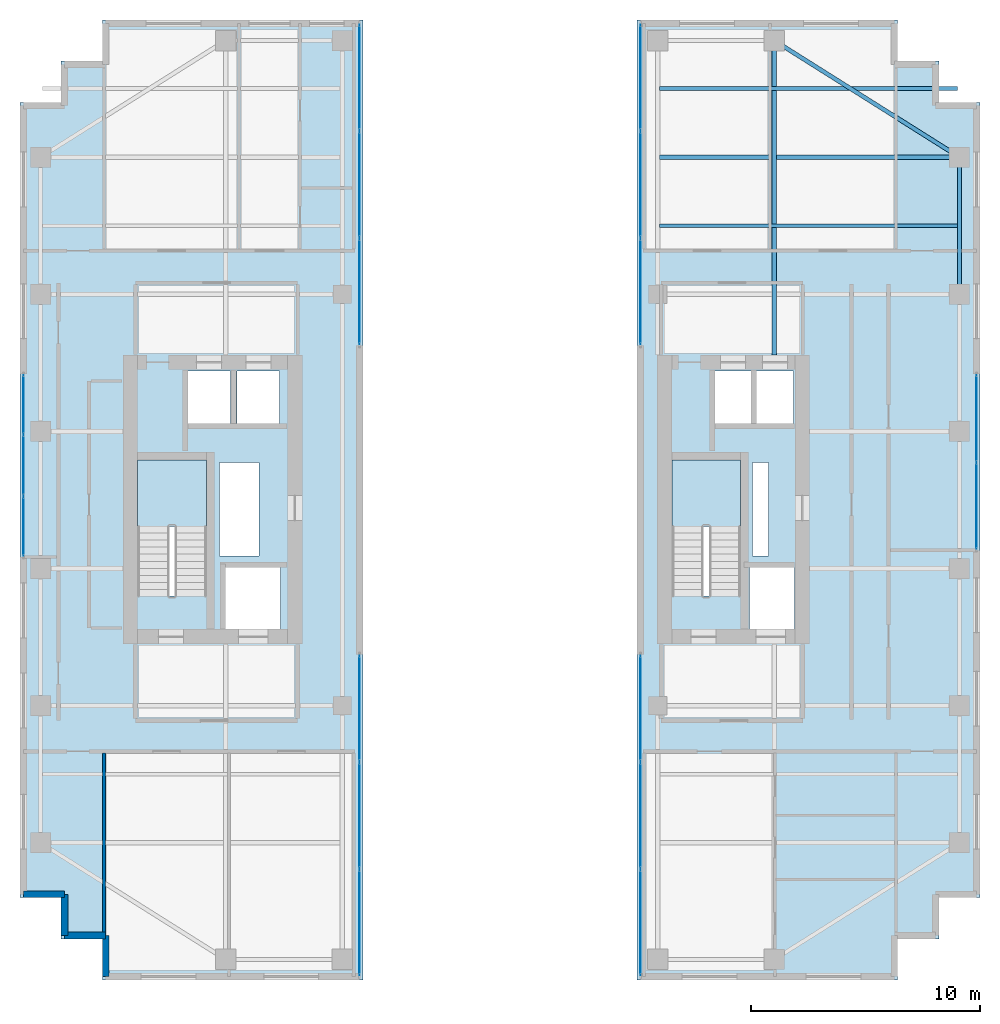
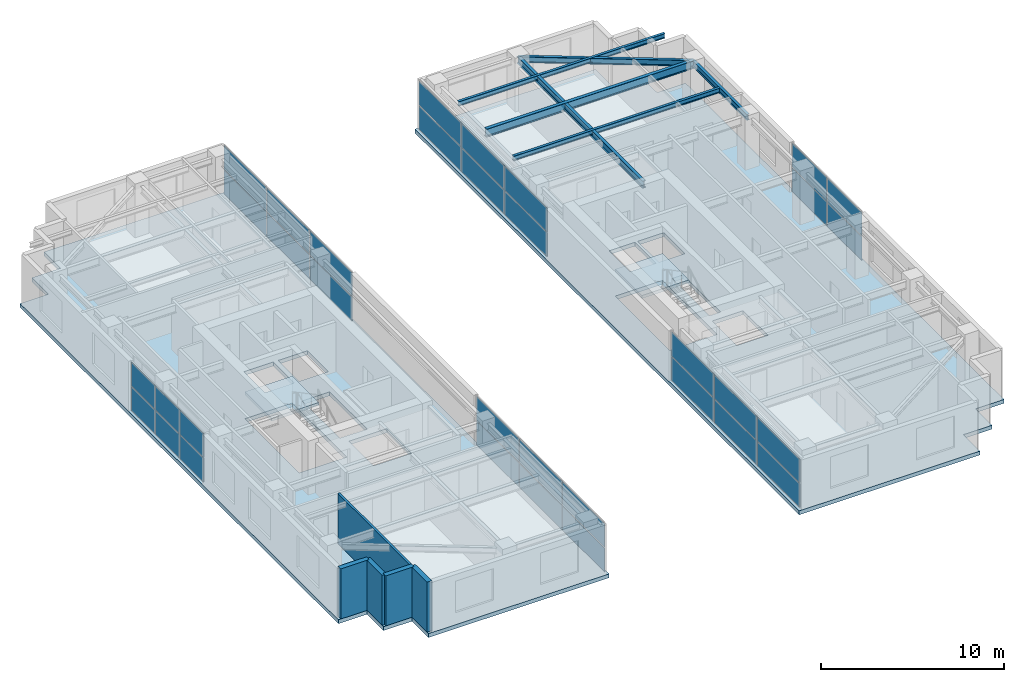
# One storey, part 16 of 22: 34 plates, 6 beams, 5 walls, 4 slabs, 8 elements without a shape of their own.
"""IFC4 building model written with IfcOpenShell, lengths in metres."""

from ifc_helpers import new_model, si_unit, direction, frame, frame_2d, origin, origin_2d, place, context, subcontext, project, spatial, polyline, rectangle, i_section, outline, extrude, source, transform, mapped, material, layer, layer_set, material_profile, profile_set, type_object, element, aggregate, save


model = new_model("IFC4")

# Units and contexts
model_context = context("Model", 3, precision=1e-05, world=origin(), true_north=direction((0.0, 1.0)))
body_context = subcontext(model_context, "Body", "Model", "MODEL_VIEW")
ifc_project = project(units=[si_unit("LENGTHUNIT", "METRE"), si_unit("AREAUNIT", "SQUARE_METRE"), si_unit("VOLUMEUNIT", "CUBIC_METRE"), si_unit("PLANEANGLEUNIT", "RADIAN"), si_unit("MASSUNIT", "GRAM", prefix="KILO")], contexts=[model_context])

# Site, building, storey
site_placement = place(None, origin())
site = spatial("IfcSite", under=ifc_project, at=site_placement, CompositionType="ELEMENT")
building_placement = place(site_placement, origin())
building = spatial("IfcBuilding", under=site, at=building_placement, Name="Khoralis Quay Care Tower", CompositionType="ELEMENT")
storey_placement = place(building_placement, frame((0.0, 0.0, 184.5)))
storey = spatial("IfcBuildingStorey", under=building, at=storey_placement, Name="L48", CompositionType="ELEMENT", Elevation=184.5)

# Beams
ifc_material_1 = material(Name="Steel S355", Category="steel")
ifc_material_profile_1 = material_profile(ifc_material_1, i_section(OverallWidth=0.179931640625, OverallDepth=0.39990234375, WebThickness=0.008544921875, FlangeThickness=0.013427734375, FilletRadius=0.02099609375, at=origin_2d()), Name="Steel S355")
ifc_profile_set_1 = profile_set([ifc_material_profile_1], Name="Steel S355")
beam_type_1 = type_object("IfcBeamType", Name="BM-IPE400", PredefinedType="SPANDREL", material=ifc_profile_set_1)
shared_shape_1 = source(origin(), body_context, "Body", "SweptSolid", [
    extrude(i_section(OverallWidth=0.179931640625, OverallDepth=0.39990234375, WebThickness=0.008544921875, FlangeThickness=0.013427734375, FilletRadius=0.02099609375, at=origin_2d()), origin(), (0.0, 0.0, 1.0), 6.0),
])
beam_1_placement = place(storey_placement, frame((44.10009765625, 30.0, 3.139892578125), z_axis=(0.0, 1.0, 0.0), x_axis=(-1.0, 0.0, 0.0)))
element("IfcBeam", 1, at=beam_1_placement, inside=storey, type_object=beam_type_1, Name="BM-TSP-L48-14", PredefinedType="SPANDREL", context=body_context, shape_type="MappedRepresentation", body=[
    mapped(shared_shape_1, transform((0.0, 0.0, 0.0), scale=1.0)),
])
shared_shape_2 = source(origin(), body_context, "Body", "SweptSolid", [
    extrude(i_section(OverallWidth=0.179931640625, OverallDepth=0.39990234375, WebThickness=0.008544921875, FlangeThickness=0.013427734375, FilletRadius=0.02099609375, at=origin_2d()), origin(), (0.0, 0.0, 1.0), 9.572021484375),
])
beam_2_placement = place(storey_placement, frame((36.0, 41.10009765625, 3.139892578125), z_axis=(0.846231136359, -0.532815975602, 0.0), x_axis=(0.532815975602, 0.846231136359, 0.0)))
element("IfcBeam", 2, at=beam_2_placement, inside=storey, type_object=beam_type_1, Name="BM-TCR-L48-18", PredefinedType="SPANDREL", context=body_context, shape_type="MappedRepresentation", body=[
    mapped(shared_shape_2, transform((0.0, 0.0, 0.0), scale=1.0)),
])
ifc_material_profile_2 = material_profile(ifc_material_1, i_section(OverallWidth=0.208984375, OverallDepth=0.532958984375, WebThickness=0.01025390625, FlangeThickness=0.015625, FilletRadius=0.01611328125, at=origin_2d()), Name="Steel S355")
ifc_profile_set_2 = profile_set([ifc_material_profile_2], Name="Steel S355")
beam_type_2 = type_object("IfcBeamType", Name="BM-W530X92", PredefinedType="BEAM", material=ifc_profile_set_2)
shared_shape_3 = source(origin(), body_context, "Body", "SweptSolid", [
    extrude(i_section(OverallWidth=0.208984375, OverallDepth=0.532958984375, WebThickness=0.01025390625, FlangeThickness=0.015625, FilletRadius=0.01611328125, at=origin_2d()), origin(), (0.0, 0.0, 1.0), 13.1162109375),
])
beam_3_placement = place(storey_placement, frame((30.98388671875, 36.0, 3.073486328125), z_axis=(1.0, 0.0, 0.0), x_axis=(0.0, 1.0, 0.0)))
element("IfcBeam", 3, at=beam_3_placement, inside=storey, type_object=beam_type_2, Name="BM-TGXE-L48-360", PredefinedType="BEAM", context=body_context, shape_type="MappedRepresentation", body=[
    mapped(shared_shape_3, transform((0.0, 0.0, 0.0), scale=1.0)),
])
ifc_material_profile_3 = material_profile(ifc_material_1, i_section(OverallWidth=0.19189453125, OverallDepth=0.462890625, WebThickness=0.010498046875, FlangeThickness=0.017578125, FilletRadius=0.014892578125, at=origin_2d()), Name="Steel S355")
ifc_profile_set_3 = profile_set([ifc_material_profile_3], Name="Steel S355")
beam_type_3 = type_object("IfcBeamType", Name="BM-W460X89", PredefinedType="BEAM", material=ifc_profile_set_3)
shared_shape_4 = source(origin(), body_context, "Body", "SweptSolid", [
    extrude(i_section(OverallWidth=0.19189453125, OverallDepth=0.462890625, WebThickness=0.010498046875, FlangeThickness=0.017578125, FilletRadius=0.014892578125, at=origin_2d()), origin(), (0.0, 0.0, 1.0), 13.752197265625),
])
beam_4_placement = place(storey_placement, frame((36.0, 27.347900390625, 3.1083984375), z_axis=(0.0, 1.0, 0.0), x_axis=(-1.0, 0.0, 0.0)))
element("IfcBeam", 4, at=beam_4_placement, inside=storey, type_object=beam_type_3, Name="BM-TGYN-L48-360", PredefinedType="BEAM", context=body_context, shape_type="MappedRepresentation", body=[
    mapped(shared_shape_4, transform((0.0, 0.0, 0.0), scale=1.0)),
])
ifc_material_profile_4 = material_profile(ifc_material_1, i_section(OverallWidth=0.1650390625, OverallDepth=0.31005859375, WebThickness=0.005859375, FlangeThickness=0.009765625, FilletRadius=0.011962890625, at=origin_2d()), Name="Steel S355")
ifc_profile_set_4 = profile_set([ifc_material_profile_4], Name="Steel S355")
beam_type_4 = type_object("IfcBeamType", Name="BM-W310X39", PredefinedType="JOIST", material=ifc_profile_set_4)
shared_shape_5 = source(origin(), body_context, "Body", "SweptSolid", [
    extrude(i_section(OverallWidth=0.1650390625, OverallDepth=0.31005859375, WebThickness=0.005859375, FlangeThickness=0.009765625, FilletRadius=0.011962890625, at=origin_2d()), origin(), (0.0, 0.0, 1.0), 13.0400390625),
])
for number, where, z_axis, x_axis, name in (
    (5, (30.98388671875, 33.0, 3.18505859375), (1.0, 0.0, 0.0), (0.0, 1.0, 0.0), "BM-TJS-L48-22"),
    (6, (30.98388671875, 39.0, 3.18505859375), (1.0, 0.0, 0.0), (0.0, 1.0, 0.0), "BM-TJS-L48-24"),
):
    element("IfcBeam", number, at=place(storey_placement, frame(where, z_axis=z_axis, x_axis=x_axis)), inside=storey, type_object=beam_type_4, Name=name, PredefinedType="JOIST", context=body_context, shape_type="MappedRepresentation", body=[
        mapped(shared_shape_5, transform((0.0, 0.0, 0.0), scale=1.0)),
    ])

# Stair, slab
ifc_material_2 = material(Name="Precast concrete C45/55", Category="concrete")
stair_type = type_object("IfcStairType", Name="ST-TWR-DOGLEG-1400", PredefinedType="HALF_TURN_STAIR", material=ifc_material_2)
stair_1_placement = place(storey_placement, origin())
stair_1 = element("IfcStair", 7, at=stair_1_placement, inside=storey, type_object=stair_type, Name="L48 West Core Exit Stair ST-T1", PredefinedType="HALF_TURN_STAIR")
ifc_layer_1 = layer(ifc_material_2, 0.199951171875)
ifc_layer_set_1 = layer_set([ifc_layer_1], Name="Precast concrete C45/55")
slab_type_1 = type_object("IfcSlabType", Name="SLB-LANDING-200", PredefinedType="LANDING", material=ifc_layer_set_1)
slab_1_placement = place(storey_placement, frame((0.0, 0.0, 1.60009765625)))
slab_1 = element("IfcSlab", 8, at=slab_1_placement, type_object=slab_type_1, Name="ST-T1 landing 1", PredefinedType="LANDING", context=body_context, shape_type="SweptSolid", body=[
    extrude(outline(polyline([(11.14990234375, 19.840087890625), (11.14990234375, 22.75), (8.14990234375, 22.75), (8.14990234375, 19.840087890625), (11.14990234375, 19.840087890625)])), origin(), (0.0, 0.0, 1.0), 0.199951171875),
])
aggregate(stair_1, [slab_1])

stair_2_placement = place(storey_placement, origin())
stair_2 = element("IfcStair", 9, at=stair_2_placement, inside=storey, type_object=stair_type, Name="L48 East Core Exit Stair ST-T2", PredefinedType="HALF_TURN_STAIR")
slab_2_placement = place(storey_placement, frame((0.0, 0.0, 1.60009765625)))
slab_2 = element("IfcSlab", 10, at=slab_2_placement, type_object=slab_type_1, Name="ST-T2 landing 1", PredefinedType="LANDING", context=body_context, shape_type="SweptSolid", body=[
    extrude(outline(polyline([(34.52001953125, 19.840087890625), (34.52001953125, 22.75), (31.52001953125, 22.75), (31.52001953125, 19.840087890625), (34.52001953125, 19.840087890625)])), origin(), (0.0, 0.0, 1.0), 0.199951171875),
])
aggregate(stair_2, [slab_2])

# Slabs
ifc_material_3 = material(Name="Concrete C40/50", Category="concrete")
ifc_layer_2 = layer(ifc_material_3, 0.260009765625)
ifc_layer_set_2 = layer_set([ifc_layer_2], Name="Concrete C40/50")
slab_type_2 = type_object("IfcSlabType", Name="SLB-TWR-260", PredefinedType="FLOOR", material=ifc_layer_set_2)
slab_3_placement = place(storey_placement, frame((0.0, 0.0, -0.260009765625)))
element("IfcSlab", 11, at=slab_3_placement, inside=storey, type_object=slab_type_2, Name="Tower Wing 1 Slab L48", PredefinedType="FLOOR", context=body_context, shape_type="SweptSolid", body=[
    extrude(outline(polyline([(6.60009765625, 0.0), (18.0, 0.0), (18.0, 42.0), (6.60009765625, 42.0), (6.60009765625, 40.199951171875), (4.800048828125, 40.199951171875), (4.800048828125, 38.39990234375), (3.0, 38.39990234375), (3.0, 3.60009765625), (4.800048828125, 3.60009765625), (4.800048828125, 1.800048828125), (6.60009765625, 1.800048828125), (6.60009765625, 0.0)]), holes=[polyline([(11.14990234375, 16.800048828125), (11.14990234375, 22.75), (8.14990234375, 22.75), (8.14990234375, 16.800048828125), (11.14990234375, 16.800048828125)]), polyline([(12.0, 15.35009765625), (14.39990234375, 15.35009765625), (14.39990234375, 18.050048828125), (12.0, 18.050048828125), (12.0, 15.35009765625)]), polyline([(10.35009765625, 24.35009765625), (12.199951171875, 24.35009765625), (12.199951171875, 26.64990234375), (10.35009765625, 26.64990234375), (10.35009765625, 24.35009765625)]), polyline([(12.5, 24.35009765625), (14.35009765625, 24.35009765625), (14.35009765625, 26.64990234375), (12.5, 26.64990234375), (12.5, 24.35009765625)]), polyline([(11.719970703125, 18.550048828125), (13.449951171875, 18.550048828125), (13.449951171875, 22.64990234375), (11.719970703125, 22.64990234375), (11.719970703125, 18.550048828125)])]), origin(), (0.0, 0.0, 1.0), 0.260009765625),
])
slab_4_placement = place(storey_placement, frame((0.0, 0.0, -0.260009765625)))
element("IfcSlab", 12, at=slab_4_placement, inside=storey, type_object=slab_type_2, Name="Tower Wing 2 Slab L48", PredefinedType="FLOOR", context=body_context, shape_type="SweptSolid", body=[
    extrude(outline(polyline([(30.0, 0.0), (41.39990234375, 0.0), (41.39990234375, 1.800048828125), (43.199951171875, 1.800048828125), (43.199951171875, 3.60009765625), (45.0, 3.60009765625), (45.0, 38.39990234375), (43.199951171875, 38.39990234375), (43.199951171875, 40.199951171875), (41.39990234375, 40.199951171875), (41.39990234375, 42.0), (30.0, 42.0), (30.0, 0.0)]), holes=[polyline([(34.52001953125, 16.800048828125), (34.52001953125, 22.75), (31.52001953125, 22.75), (31.52001953125, 16.800048828125), (34.52001953125, 16.800048828125)]), polyline([(34.919921875, 15.35009765625), (36.8798828125, 15.35009765625), (36.8798828125, 18.050048828125), (34.919921875, 18.050048828125), (34.919921875, 15.35009765625)]), polyline([(33.3798828125, 24.35009765625), (35.030029296875, 24.35009765625), (35.030029296875, 26.64990234375), (33.3798828125, 26.64990234375), (33.3798828125, 24.35009765625)]), polyline([(35.199951171875, 24.35009765625), (36.85009765625, 24.35009765625), (36.85009765625, 26.64990234375), (35.199951171875, 26.64990234375), (35.199951171875, 24.35009765625)]), polyline([(35.050048828125, 18.550048828125), (35.75, 18.550048828125), (35.75, 22.64990234375), (35.050048828125, 22.64990234375), (35.050048828125, 18.550048828125)])]), origin(), (0.0, 0.0, 1.0), 0.260009765625),
])

# Curtain wall, plates
ifc_material_4 = material(Name="Pale anodised aluminium", Category="aluminium")
ifc_layer_3 = layer(ifc_material_4, 0.18994140625)
ifc_layer_set_3 = layer_set([ifc_layer_3], Name="Pale anodised aluminium")
curtain_wall_type_1 = type_object("IfcCurtainWallType", Name="CW-SYS-PORTAL", PredefinedType="NOTDEFINED", material=ifc_layer_set_3)
curtain_wall_1_placement = place(storey_placement, origin())
curtain_wall_1 = element("IfcCurtainWall", 13, at=curtain_wall_1_placement, inside=storey, type_object=curtain_wall_type_1, Name="L48 Unitised Curtain Wall CW-VP-L48-P1-S", PredefinedType="NOTDEFINED")
ifc_material_5 = material(Name="Low-E solar-control double glazing", Category="glass")
ifc_layer_4 = layer(ifc_material_5, 0.031982421875)
ifc_layer_set_4 = layer_set([ifc_layer_4], Name="Low-E solar-control double glazing")
plate_type = type_object("IfcPlateType", Name="PNL-VIS-32", PredefinedType="CURTAIN_PANEL", material=ifc_layer_set_4)
shared_shape_6 = source(origin(), body_context, "Body", "SweptSolid", [
    extrude(rectangle(XDim=4.610107421875, YDim=0.028076171875, at=origin_2d()), origin(), (0.0, 0.0, 1.0), 1.580078125),
])
plate_1_placement = place(storey_placement, frame((17.85009765625, 2.514892578125, 0.06005859375), z_axis=(0.0, 0.0, 1.0), x_axis=(0.0, 1.0, 0.0)))
plate_1 = element("IfcPlate", 14, at=plate_1_placement, type_object=plate_type, Name="CW4 panel 1.1", PredefinedType="CURTAIN_PANEL", context=body_context, shape_type="MappedRepresentation", body=[
    mapped(shared_shape_6, transform((0.0, 0.0, 0.0), scale=1.0)),
])
plate_2_placement = place(storey_placement, frame((17.85009765625, 2.514892578125, 1.699951171875), z_axis=(0.0, 0.0, 1.0), x_axis=(0.0, 1.0, 0.0)))
plate_2 = element("IfcPlate", 15, at=plate_2_placement, type_object=plate_type, Name="CW4 panel 1.2", PredefinedType="CURTAIN_PANEL", context=body_context, shape_type="MappedRepresentation", body=[
    mapped(shared_shape_6, transform((0.0, 0.0, 0.0), scale=1.0)),
])
plate_3_placement = place(storey_placement, frame((17.85009765625, 11.885009765625, 0.06005859375), z_axis=(0.0, 0.0, 1.0), x_axis=(0.0, 1.0, 0.0)))
plate_3 = element("IfcPlate", 16, at=plate_3_placement, type_object=plate_type, Name="CW4 panel 3.1", PredefinedType="CURTAIN_PANEL", context=body_context, shape_type="MappedRepresentation", body=[
    mapped(shared_shape_6, transform((0.0, 0.0, 0.0), scale=1.0)),
])
plate_4_placement = place(storey_placement, frame((17.85009765625, 11.885009765625, 1.699951171875), z_axis=(0.0, 0.0, 1.0), x_axis=(0.0, 1.0, 0.0)))
plate_4 = element("IfcPlate", 17, at=plate_4_placement, type_object=plate_type, Name="CW4 panel 3.2", PredefinedType="CURTAIN_PANEL", context=body_context, shape_type="MappedRepresentation", body=[
    mapped(shared_shape_6, transform((0.0, 0.0, 0.0), scale=1.0)),
])

curtain_wall_2_placement = place(storey_placement, origin())
curtain_wall_2 = element("IfcCurtainWall", 18, at=curtain_wall_2_placement, inside=storey, type_object=curtain_wall_type_1, Name="L48 Unitised Curtain Wall CW-VP-L48-P1-N", PredefinedType="NOTDEFINED")
plate_5_placement = place(storey_placement, frame((17.85009765625, 30.114990234375, 0.06005859375), z_axis=(0.0, 0.0, 1.0), x_axis=(0.0, 1.0, 0.0)))
plate_5 = element("IfcPlate", 19, at=plate_5_placement, type_object=plate_type, Name="CW4 panel 1.1", PredefinedType="CURTAIN_PANEL", context=body_context, shape_type="MappedRepresentation", body=[
    mapped(shared_shape_6, transform((0.0, 0.0, 0.0), scale=1.0)),
])
plate_6_placement = place(storey_placement, frame((17.85009765625, 30.114990234375, 1.699951171875), z_axis=(0.0, 0.0, 1.0), x_axis=(0.0, 1.0, 0.0)))
plate_6 = element("IfcPlate", 20, at=plate_6_placement, type_object=plate_type, Name="CW4 panel 1.2", PredefinedType="CURTAIN_PANEL", context=body_context, shape_type="MappedRepresentation", body=[
    mapped(shared_shape_6, transform((0.0, 0.0, 0.0), scale=1.0)),
])
plate_7_placement = place(storey_placement, frame((17.85009765625, 39.485107421875, 0.06005859375), z_axis=(0.0, 0.0, 1.0), x_axis=(0.0, 1.0, 0.0)))
plate_7 = element("IfcPlate", 21, at=plate_7_placement, type_object=plate_type, Name="CW4 panel 3.1", PredefinedType="CURTAIN_PANEL", context=body_context, shape_type="MappedRepresentation", body=[
    mapped(shared_shape_6, transform((0.0, 0.0, 0.0), scale=1.0)),
])
plate_8_placement = place(storey_placement, frame((17.85009765625, 39.485107421875, 1.699951171875), z_axis=(0.0, 0.0, 1.0), x_axis=(0.0, 1.0, 0.0)))
plate_8 = element("IfcPlate", 22, at=plate_8_placement, type_object=plate_type, Name="CW4 panel 3.2", PredefinedType="CURTAIN_PANEL", context=body_context, shape_type="MappedRepresentation", body=[
    mapped(shared_shape_6, transform((0.0, 0.0, 0.0), scale=1.0)),
])

curtain_wall_3_placement = place(storey_placement, origin())
curtain_wall_3 = element("IfcCurtainWall", 23, at=curtain_wall_3_placement, inside=storey, type_object=curtain_wall_type_1, Name="L48 Unitised Curtain Wall CW-VP-L48-P2-S", PredefinedType="NOTDEFINED")
plate_9_placement = place(storey_placement, frame((30.14990234375, 2.514892578125, 0.06005859375), z_axis=(0.0, 0.0, 1.0), x_axis=(0.0, 1.0, 0.0)))
plate_9 = element("IfcPlate", 24, at=plate_9_placement, type_object=plate_type, Name="CW4 panel 1.1", PredefinedType="CURTAIN_PANEL", context=body_context, shape_type="MappedRepresentation", body=[
    mapped(shared_shape_6, transform((0.0, 0.0, 0.0), scale=1.0)),
])
plate_10_placement = place(storey_placement, frame((30.14990234375, 2.514892578125, 1.699951171875), z_axis=(0.0, 0.0, 1.0), x_axis=(0.0, 1.0, 0.0)))
plate_10 = element("IfcPlate", 25, at=plate_10_placement, type_object=plate_type, Name="CW4 panel 1.2", PredefinedType="CURTAIN_PANEL", context=body_context, shape_type="MappedRepresentation", body=[
    mapped(shared_shape_6, transform((0.0, 0.0, 0.0), scale=1.0)),
])
plate_11_placement = place(storey_placement, frame((30.14990234375, 11.885009765625, 0.06005859375), z_axis=(0.0, 0.0, 1.0), x_axis=(0.0, 1.0, 0.0)))
plate_11 = element("IfcPlate", 26, at=plate_11_placement, type_object=plate_type, Name="CW4 panel 3.1", PredefinedType="CURTAIN_PANEL", context=body_context, shape_type="MappedRepresentation", body=[
    mapped(shared_shape_6, transform((0.0, 0.0, 0.0), scale=1.0)),
])
plate_12_placement = place(storey_placement, frame((30.14990234375, 11.885009765625, 1.699951171875), z_axis=(0.0, 0.0, 1.0), x_axis=(0.0, 1.0, 0.0)))
plate_12 = element("IfcPlate", 27, at=plate_12_placement, type_object=plate_type, Name="CW4 panel 3.2", PredefinedType="CURTAIN_PANEL", context=body_context, shape_type="MappedRepresentation", body=[
    mapped(shared_shape_6, transform((0.0, 0.0, 0.0), scale=1.0)),
])

curtain_wall_4_placement = place(storey_placement, origin())
curtain_wall_4 = element("IfcCurtainWall", 28, at=curtain_wall_4_placement, inside=storey, type_object=curtain_wall_type_1, Name="L48 Unitised Curtain Wall CW-VP-L48-P2-N", PredefinedType="NOTDEFINED")
plate_13_placement = place(storey_placement, frame((30.14990234375, 30.114990234375, 0.06005859375), z_axis=(0.0, 0.0, 1.0), x_axis=(0.0, 1.0, 0.0)))
plate_13 = element("IfcPlate", 29, at=plate_13_placement, type_object=plate_type, Name="CW4 panel 1.1", PredefinedType="CURTAIN_PANEL", context=body_context, shape_type="MappedRepresentation", body=[
    mapped(shared_shape_6, transform((0.0, 0.0, 0.0), scale=1.0)),
])
plate_14_placement = place(storey_placement, frame((30.14990234375, 30.114990234375, 1.699951171875), z_axis=(0.0, 0.0, 1.0), x_axis=(0.0, 1.0, 0.0)))
plate_14 = element("IfcPlate", 30, at=plate_14_placement, type_object=plate_type, Name="CW4 panel 1.2", PredefinedType="CURTAIN_PANEL", context=body_context, shape_type="MappedRepresentation", body=[
    mapped(shared_shape_6, transform((0.0, 0.0, 0.0), scale=1.0)),
])
plate_15_placement = place(storey_placement, frame((30.14990234375, 39.485107421875, 0.06005859375), z_axis=(0.0, 0.0, 1.0), x_axis=(0.0, 1.0, 0.0)))
plate_15 = element("IfcPlate", 31, at=plate_15_placement, type_object=plate_type, Name="CW4 panel 3.1", PredefinedType="CURTAIN_PANEL", context=body_context, shape_type="MappedRepresentation", body=[
    mapped(shared_shape_6, transform((0.0, 0.0, 0.0), scale=1.0)),
])
plate_16_placement = place(storey_placement, frame((30.14990234375, 39.485107421875, 1.699951171875), z_axis=(0.0, 0.0, 1.0), x_axis=(0.0, 1.0, 0.0)))
plate_16 = element("IfcPlate", 32, at=plate_16_placement, type_object=plate_type, Name="CW4 panel 3.2", PredefinedType="CURTAIN_PANEL", context=body_context, shape_type="MappedRepresentation", body=[
    mapped(shared_shape_6, transform((0.0, 0.0, 0.0), scale=1.0)),
])

# Plate
shared_shape_7 = source(origin(), body_context, "Body", "SweptSolid", [
    extrude(rectangle(XDim=4.639892578125, YDim=0.028076171875, at=origin_2d()), origin(), (0.0, 0.0, 1.0), 1.580078125),
])
plate_17_placement = place(storey_placement, frame((17.85009765625, 7.199951171875, 0.06005859375), z_axis=(0.0, 0.0, 1.0), x_axis=(0.0, 1.0, 0.0)))
plate_17 = element("IfcPlate", 33, at=plate_17_placement, type_object=plate_type, Name="CW4 panel 2.1", PredefinedType="CURTAIN_PANEL", context=body_context, shape_type="MappedRepresentation", body=[
    mapped(shared_shape_7, transform((0.0, 0.0, 0.0), scale=1.0)),
])

plate_18_placement = place(storey_placement, frame((17.85009765625, 7.199951171875, 1.699951171875), z_axis=(0.0, 0.0, 1.0), x_axis=(0.0, 1.0, 0.0)))
plate_18 = element("IfcPlate", 34, at=plate_18_placement, type_object=plate_type, Name="CW4 panel 2.2", PredefinedType="CURTAIN_PANEL", context=body_context, shape_type="MappedRepresentation", body=[
    mapped(shared_shape_7, transform((0.0, 0.0, 0.0), scale=1.0)),
])

aggregate(curtain_wall_1, [plate_1, plate_2, plate_17, plate_18, plate_3, plate_4])

plate_19_placement = place(storey_placement, frame((17.85009765625, 34.800048828125, 0.06005859375), z_axis=(0.0, 0.0, 1.0), x_axis=(0.0, 1.0, 0.0)))
plate_19 = element("IfcPlate", 35, at=plate_19_placement, type_object=plate_type, Name="CW4 panel 2.1", PredefinedType="CURTAIN_PANEL", context=body_context, shape_type="MappedRepresentation", body=[
    mapped(shared_shape_7, transform((0.0, 0.0, 0.0), scale=1.0)),
])

plate_20_placement = place(storey_placement, frame((17.85009765625, 34.800048828125, 1.699951171875), z_axis=(0.0, 0.0, 1.0), x_axis=(0.0, 1.0, 0.0)))
plate_20 = element("IfcPlate", 36, at=plate_20_placement, type_object=plate_type, Name="CW4 panel 2.2", PredefinedType="CURTAIN_PANEL", context=body_context, shape_type="MappedRepresentation", body=[
    mapped(shared_shape_7, transform((0.0, 0.0, 0.0), scale=1.0)),
])

aggregate(curtain_wall_2, [plate_5, plate_6, plate_19, plate_20, plate_7, plate_8])

plate_21_placement = place(storey_placement, frame((30.14990234375, 7.199951171875, 0.06005859375), z_axis=(0.0, 0.0, 1.0), x_axis=(0.0, 1.0, 0.0)))
plate_21 = element("IfcPlate", 37, at=plate_21_placement, type_object=plate_type, Name="CW4 panel 2.1", PredefinedType="CURTAIN_PANEL", context=body_context, shape_type="MappedRepresentation", body=[
    mapped(shared_shape_7, transform((0.0, 0.0, 0.0), scale=1.0)),
])

plate_22_placement = place(storey_placement, frame((30.14990234375, 7.199951171875, 1.699951171875), z_axis=(0.0, 0.0, 1.0), x_axis=(0.0, 1.0, 0.0)))
plate_22 = element("IfcPlate", 38, at=plate_22_placement, type_object=plate_type, Name="CW4 panel 2.2", PredefinedType="CURTAIN_PANEL", context=body_context, shape_type="MappedRepresentation", body=[
    mapped(shared_shape_7, transform((0.0, 0.0, 0.0), scale=1.0)),
])

aggregate(curtain_wall_3, [plate_9, plate_10, plate_21, plate_22, plate_11, plate_12])

plate_23_placement = place(storey_placement, frame((30.14990234375, 34.800048828125, 0.06005859375), z_axis=(0.0, 0.0, 1.0), x_axis=(0.0, 1.0, 0.0)))
plate_23 = element("IfcPlate", 39, at=plate_23_placement, type_object=plate_type, Name="CW4 panel 2.1", PredefinedType="CURTAIN_PANEL", context=body_context, shape_type="MappedRepresentation", body=[
    mapped(shared_shape_7, transform((0.0, 0.0, 0.0), scale=1.0)),
])

plate_24_placement = place(storey_placement, frame((30.14990234375, 34.800048828125, 1.699951171875), z_axis=(0.0, 0.0, 1.0), x_axis=(0.0, 1.0, 0.0)))
plate_24 = element("IfcPlate", 40, at=plate_24_placement, type_object=plate_type, Name="CW4 panel 2.2", PredefinedType="CURTAIN_PANEL", context=body_context, shape_type="MappedRepresentation", body=[
    mapped(shared_shape_7, transform((0.0, 0.0, 0.0), scale=1.0)),
])

aggregate(curtain_wall_4, [plate_13, plate_14, plate_23, plate_24, plate_15, plate_16])

# Curtain wall, plates
ifc_layer_5 = layer(ifc_material_4, 0.159912109375)
ifc_layer_set_5 = layer_set([ifc_layer_5], Name="Pale anodised aluminium")
curtain_wall_type_2 = type_object("IfcCurtainWallType", Name="CW-SYS-Z3", PredefinedType="NOTDEFINED", material=ifc_layer_set_5)
curtain_wall_5_placement = place(storey_placement, origin())
curtain_wall_5 = element("IfcCurtainWall", 41, at=curtain_wall_5_placement, inside=storey, type_object=curtain_wall_type_2, Name="L48 Unitised Curtain Wall CW-L48-P1-E7", PredefinedType="NOTDEFINED")
shared_shape_8 = source(origin(), body_context, "Body", "SweptSolid", [
    extrude(rectangle(XDim=2.583251953125, YDim=0.028076171875, at=origin_2d()), origin(), (0.0, 0.0, 1.0), 1.580078125),
])
plate_25_placement = place(storey_placement, frame((3.14990234375, 25.168212890625, 0.06005859375), z_axis=(0.0, 0.0, 1.0), x_axis=(0.0, -1.0, 0.0)))
plate_25 = element("IfcPlate", 42, at=plate_25_placement, type_object=plate_type, Name="CW3 panel 1.1", PredefinedType="CURTAIN_PANEL", context=body_context, shape_type="MappedRepresentation", body=[
    mapped(shared_shape_8, transform((0.0, 0.0, 0.0), scale=1.0)),
])
plate_26_placement = place(storey_placement, frame((3.14990234375, 25.168212890625, 1.699951171875), z_axis=(0.0, 0.0, 1.0), x_axis=(0.0, -1.0, 0.0)))
plate_26 = element("IfcPlate", 43, at=plate_26_placement, type_object=plate_type, Name="CW3 panel 1.2", PredefinedType="CURTAIN_PANEL", context=body_context, shape_type="MappedRepresentation", body=[
    mapped(shared_shape_8, transform((0.0, 0.0, 0.0), scale=1.0)),
])
plate_27_placement = place(storey_placement, frame((3.14990234375, 19.8515625, 0.06005859375), z_axis=(0.0, 0.0, 1.0), x_axis=(0.0, -1.0, 0.0)))
plate_27 = element("IfcPlate", 44, at=plate_27_placement, type_object=plate_type, Name="CW3 panel 3.1", PredefinedType="CURTAIN_PANEL", context=body_context, shape_type="MappedRepresentation", body=[
    mapped(shared_shape_8, transform((0.0, 0.0, 0.0), scale=1.0)),
])
plate_28_placement = place(storey_placement, frame((3.14990234375, 19.8515625, 1.699951171875), z_axis=(0.0, 0.0, 1.0), x_axis=(0.0, -1.0, 0.0)))
plate_28 = element("IfcPlate", 45, at=plate_28_placement, type_object=plate_type, Name="CW3 panel 3.2", PredefinedType="CURTAIN_PANEL", context=body_context, shape_type="MappedRepresentation", body=[
    mapped(shared_shape_8, transform((0.0, 0.0, 0.0), scale=1.0)),
])
shared_shape_9 = source(origin(), body_context, "Body", "SweptSolid", [
    extrude(rectangle(XDim=2.61328125, YDim=0.028076171875, at=origin_2d()), origin(), (0.0, 0.0, 1.0), 1.580078125),
])
plate_29_placement = place(storey_placement, frame((3.14990234375, 22.510009765625, 0.06005859375), z_axis=(0.0, 0.0, 1.0), x_axis=(0.0, -1.0, 0.0)))
plate_29 = element("IfcPlate", 46, at=plate_29_placement, type_object=plate_type, Name="CW3 panel 2.1", PredefinedType="CURTAIN_PANEL", context=body_context, shape_type="MappedRepresentation", body=[
    mapped(shared_shape_9, transform((0.0, 0.0, 0.0), scale=1.0)),
])
plate_30_placement = place(storey_placement, frame((3.14990234375, 22.510009765625, 1.699951171875), z_axis=(0.0, 0.0, 1.0), x_axis=(0.0, -1.0, 0.0)))
plate_30 = element("IfcPlate", 47, at=plate_30_placement, type_object=plate_type, Name="CW3 panel 2.2", PredefinedType="CURTAIN_PANEL", context=body_context, shape_type="MappedRepresentation", body=[
    mapped(shared_shape_9, transform((0.0, 0.0, 0.0), scale=1.0)),
])
aggregate(curtain_wall_5, [plate_25, plate_26, plate_29, plate_30, plate_27, plate_28])

curtain_wall_6_placement = place(storey_placement, origin())
curtain_wall_6 = element("IfcCurtainWall", 48, at=curtain_wall_6_placement, inside=storey, type_object=curtain_wall_type_2, Name="L48 Unitised Curtain Wall CW-L48-P2-E5", PredefinedType="NOTDEFINED")
shared_shape_10 = source(origin(), body_context, "Body", "SweptSolid", [
    extrude(rectangle(XDim=3.77001953125, YDim=0.028076171875, at=origin_2d()), origin(), (0.0, 0.0, 1.0), 1.580078125),
])
plate_31_placement = place(storey_placement, frame((44.85009765625, 20.7451171875, 0.06005859375), z_axis=(0.0, 0.0, 1.0), x_axis=(0.0, 1.0, 0.0)))
plate_31 = element("IfcPlate", 49, at=plate_31_placement, type_object=plate_type, Name="CW3 panel 1.1", PredefinedType="CURTAIN_PANEL", context=body_context, shape_type="MappedRepresentation", body=[
    mapped(shared_shape_10, transform((0.0, 0.0, 0.0), scale=1.0)),
])
plate_32_placement = place(storey_placement, frame((44.85009765625, 20.7451171875, 1.699951171875), z_axis=(0.0, 0.0, 1.0), x_axis=(0.0, 1.0, 0.0)))
plate_32 = element("IfcPlate", 50, at=plate_32_placement, type_object=plate_type, Name="CW3 panel 1.2", PredefinedType="CURTAIN_PANEL", context=body_context, shape_type="MappedRepresentation", body=[
    mapped(shared_shape_10, transform((0.0, 0.0, 0.0), scale=1.0)),
])
plate_33_placement = place(storey_placement, frame((44.85009765625, 24.574951171875, 0.06005859375), z_axis=(0.0, 0.0, 1.0), x_axis=(0.0, 1.0, 0.0)))
plate_33 = element("IfcPlate", 51, at=plate_33_placement, type_object=plate_type, Name="CW3 panel 2.1", PredefinedType="CURTAIN_PANEL", context=body_context, shape_type="MappedRepresentation", body=[
    mapped(shared_shape_10, transform((0.0, 0.0, 0.0), scale=1.0)),
])
plate_34_placement = place(storey_placement, frame((44.85009765625, 24.574951171875, 1.699951171875), z_axis=(0.0, 0.0, 1.0), x_axis=(0.0, 1.0, 0.0)))
plate_34 = element("IfcPlate", 52, at=plate_34_placement, type_object=plate_type, Name="CW3 panel 2.2", PredefinedType="CURTAIN_PANEL", context=body_context, shape_type="MappedRepresentation", body=[
    mapped(shared_shape_10, transform((0.0, 0.0, 0.0), scale=1.0)),
])
aggregate(curtain_wall_6, [plate_31, plate_32, plate_33, plate_34])

# Walls
ifc_layer_6 = layer(ifc_material_2, 0.300048828125)
ifc_layer_set_6 = layer_set([ifc_layer_6], Name="Precast concrete C45/55")
wall_type_1 = type_object("IfcWallType", Name="WL-EXT-REF-300", PredefinedType="SOLIDWALL", material=ifc_layer_set_6)
for number, where, z_axis, x_axis, name in (
    (53, (3.14990234375, 3.75, 0.0), (0.0, 0.0, 1.0), (1.0, 0.0, 0.0), "L48 External Facade Wall WL-EXT-L48-P1-C8"),
    (54, (4.949951171875, 3.75, 0.0), (0.0, 0.0, 1.0), (0.0, -1.0, 0.0), "L48 External Facade Wall WL-EXT-L48-P1-C9"),
    (55, (4.949951171875, 1.949951171875, 0.0), (0.0, 0.0, 1.0), (1.0, 0.0, 0.0), "L48 External Facade Wall WL-EXT-L48-P1-C10"),
    (56, (6.75, 1.949951171875, 0.0), (0.0, 0.0, 1.0), (0.0, -1.0, 0.0), "L48 External Facade Wall WL-EXT-L48-P1-C11"),
):
    element("IfcWall", number, at=place(storey_placement, frame(where, z_axis=z_axis, x_axis=x_axis)), inside=storey, type_object=wall_type_1, Name=name, PredefinedType="SOLIDWALL", context=body_context, shape_type="SweptSolid", body=[
        extrude(rectangle(XDim=1.800048828125, YDim=0.300048828125, at=frame_2d((0.89990234375, 0.0))), origin(), (0.0, 0.0, 1.0), 3.340087890625),
    ])
ifc_material_6 = material(Name="Gypsum plasterboard on acoustic metal stud")
ifc_layer_7 = layer(ifc_material_6, 0.139892578125)
ifc_layer_set_7 = layer_set([ifc_layer_7], Name="Gypsum plasterboard on acoustic metal stud")
wall_type_2 = type_object("IfcWallType", Name="WL-UNIT-140", PredefinedType="PARTITIONING", material=ifc_layer_set_7)
wall_placement = place(storey_placement, frame((6.679931640625, 1.945068359375, 0.0), z_axis=(0.0, 0.0, 1.0), x_axis=(0.0, 1.0, 0.0)))
element("IfcWall", 57, at=wall_placement, inside=storey, type_object=wall_type_2, Name="L48 WS Demising Wall 0", PredefinedType="PARTITIONING", context=body_context, shape_type="SweptSolid", body=[
    extrude(rectangle(XDim=7.9775390625, YDim=0.139892578125, at=frame_2d((3.98876953125, 0.0))), origin(), (0.0, 0.0, 1.0), 3.340087890625),
])

save(model, "model.ifc")
